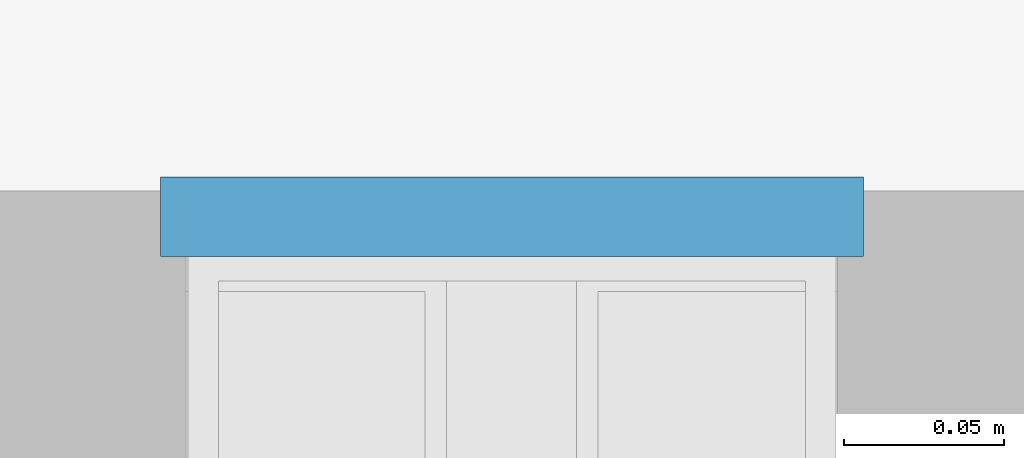
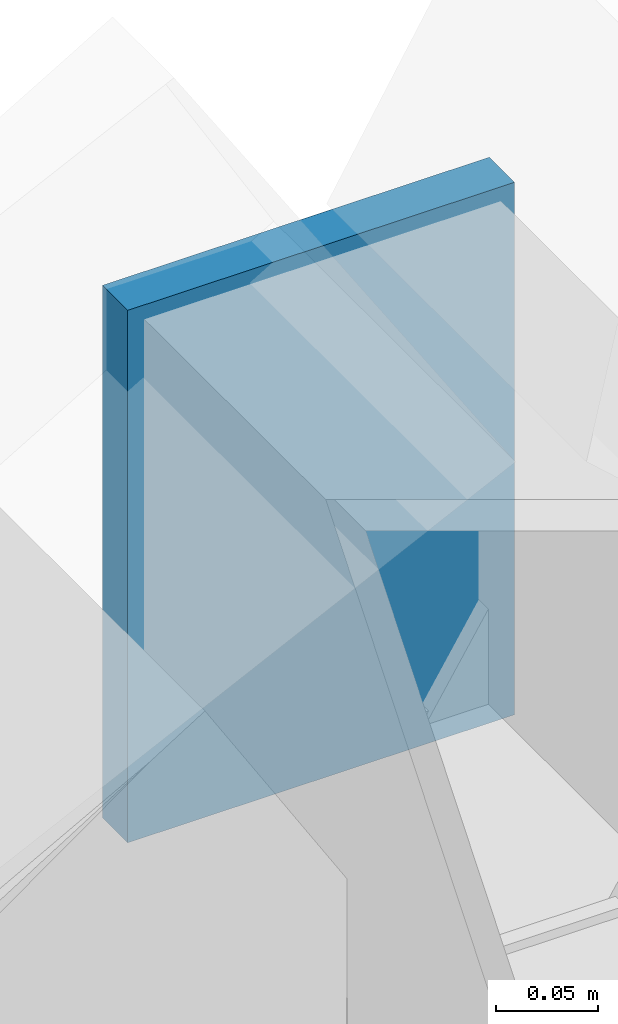
# One storey, part 7 of 13: 1 plate.
"""IFC4 building model written with IfcOpenShell, lengths in metres."""

from ifc_helpers import new_model, si_unit, direction, frame, origin, origin_2d, place, context, subcontext, project, spatial, rectangle, extrude, material, layer, layer_set, type_object, element, save


model = new_model("IFC4")

# Units and contexts
model_context = context("Model", 3, precision=1e-05, world=origin(), true_north=direction((0.0, 1.0)))
body_context = subcontext(model_context, "Body", "Model", "MODEL_VIEW")
ifc_project = project(units=[si_unit("LENGTHUNIT", "METRE"), si_unit("AREAUNIT", "SQUARE_METRE"), si_unit("VOLUMEUNIT", "CUBIC_METRE"), si_unit("PLANEANGLEUNIT", "RADIAN"), si_unit("MASSUNIT", "GRAM", prefix="KILO")], contexts=[model_context])

# Site, building, storey
site_placement = place(None, origin())
site = spatial("IfcSite", under=ifc_project, at=site_placement, CompositionType="ELEMENT")
building_placement = place(site_placement, origin())
building = spatial("IfcBuilding", under=site, at=building_placement, Name="Ochreholt Gables", CompositionType="ELEMENT")
storey_placement = place(building_placement, frame((0.0, 0.0, 205.800048828125)))
storey = spatial("IfcBuildingStorey", under=building, at=storey_placement, Name="L53", CompositionType="ELEMENT", Elevation=205.800048828125)

# Plate
ifc_material = material(Name="Steel CSA G40.21 350W", Category="steel")
ifc_layer = layer(ifc_material, 0.02490234375, Name="Steel CSA G40.21 350W")
ifc_layer_set = layer_set([ifc_layer], Name="Steel CSA G40.21 350W")
plate_type = type_object("IfcPlateType", Name="PL-ECP", PredefinedType="USERDEFINED", material=ifc_layer_set)
plate_placement = place(storey_placement, frame((20.60009765625, 37.592041015625, 3.60400390625), z_axis=(0.0, 0.0, 1.0), x_axis=(1.0, 0.0, 0.0)))
element("IfcPlate", 1, at=plate_placement, inside=storey, type_object=plate_type, Name="L53 Gable Ridge Welded End Cap Plate GB-53W2-N", ObjectType="END CAP PLATE", PredefinedType="USERDEFINED", context=body_context, shape_type="SweptSolid", body=[
    extrude(rectangle(XDim=0.219970703125, YDim=0.02490234375, at=origin_2d()), origin(), (0.0, 0.0, 1.0), 0.320068359375),
])

save(model, "model.ifc")
